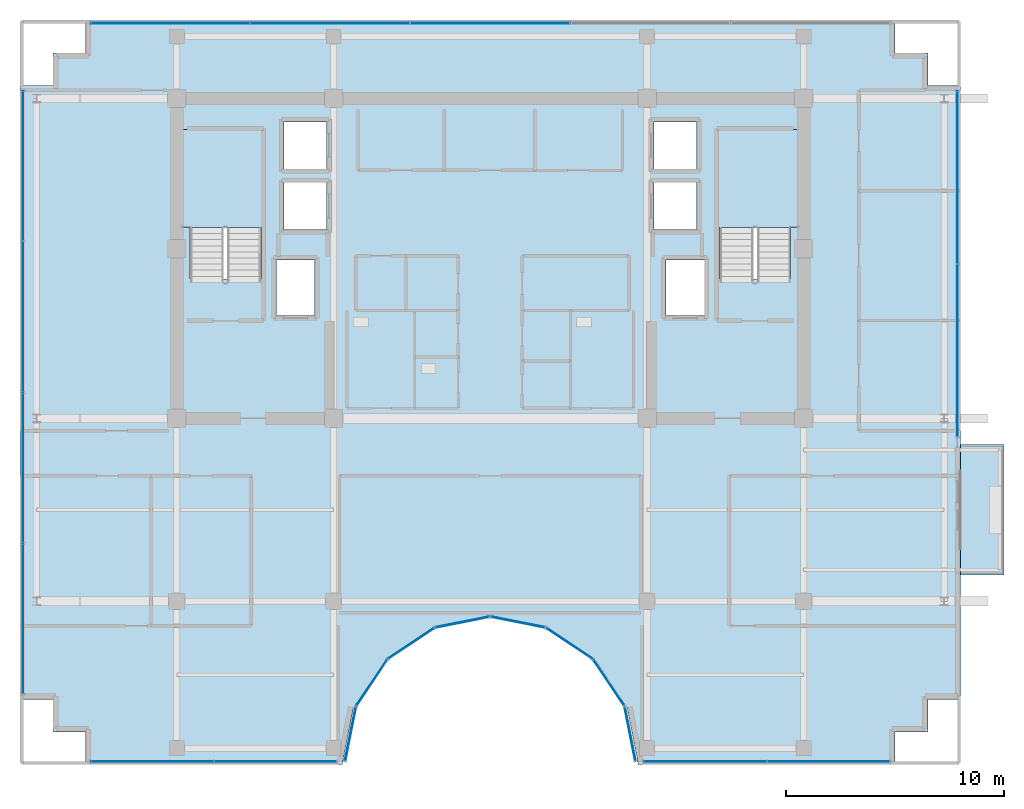
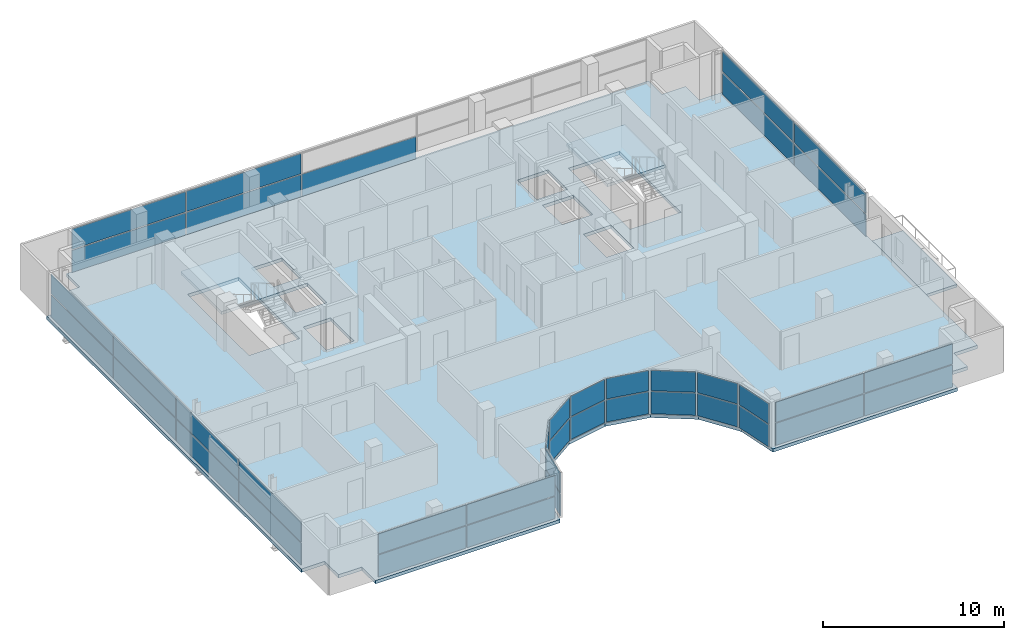
# One storey, part 22 of 29: 41 plates, 4 slabs, 15 elements without a shape of their own.
"""IFC4 building model written with IfcOpenShell, lengths in metres."""

import ifcopenshell
import ifcopenshell.guid

model = None  # the IFC model being written
_history = None  # IfcOwnerHistory: only IFC2X3 demands one
_inside = {}  # id of a spatial element -> (the spatial element, [elements in it])
_under = {}  # id of a project, library or spatial element -> (it, [spatial elements below it])
_declared = {}  # id of a project -> (the project, [libraries it declares])
_typed = {}  # id of a type object -> (the type object, [elements of that type])
_made_of = {}  # id of a material, layer set ... -> (it, [elements and type objects made of it])


def new_model(schema):
    """Start an empty IFC model of exactly this schema.

    Asked for "IFC4X3", IfcOpenShell would pick the latest addendum, in which some entities
    have other attributes; the version numbers below select the first issue.
    IFC2X3 requires an IfcOwnerHistory on every rooted entity: one is made here for all.
    """
    global model, _history
    if schema == "IFC4X3":
        model = ifcopenshell.file(schema_version=(4, 3, 0, 0))
    else:
        model = ifcopenshell.file(schema=schema)
    _inside.clear()
    _under.clear()
    _declared.clear()
    _typed.clear()
    _made_of.clear()
    _history = None
    if model.schema == "IFC2X3":
        org = make("IfcOrganization", Name="unknown")
        user = make(
            "IfcPersonAndOrganization",
            ThePerson=make("IfcPerson", FamilyName="unknown"),
            TheOrganization=org,
        )
        app = make(
            "IfcApplication",
            ApplicationDeveloper=org,
            Version="unknown",
            ApplicationFullName="unknown",
            ApplicationIdentifier="unknown",
        )
        _history = make(
            "IfcOwnerHistory",
            OwningUser=user,
            OwningApplication=app,
            ChangeAction="ADDED",
            CreationDate=0,
        )
    return model


def make(cls, **values):
    """One entity of the class cls with the attributes given. An attribute that is None is left unset."""
    return model.create_entity(
        cls, **{name: value for name, value in values.items() if value is not None}
    )


def rooted(cls, **values):
    """An entity with a GlobalId (a new one), such as an element, a storey or a relation."""
    return make(cls, GlobalId=ifcopenshell.guid.new(), OwnerHistory=_history, **values)


def si_unit(unit_type, name, prefix=None):
    """IfcSIUnit, for example si_unit("LENGTHUNIT", "METRE", prefix="MILLI")."""
    return make("IfcSIUnit", UnitType=unit_type, Prefix=prefix, Name=name)


def assignment(units):
    """IfcUnitAssignment: the units of a project."""
    return None if units is None else make("IfcUnitAssignment", Units=units)


def point(xyz):
    """IfcCartesianPoint."""
    return None if xyz is None else make("IfcCartesianPoint", Coordinates=xyz)


def direction(xyz):
    """IfcDirection."""
    return None if xyz is None else make("IfcDirection", DirectionRatios=xyz)


def frame(location, z_axis=None, x_axis=None):
    """IfcAxis2Placement3D, a coordinate frame: its origin and axes. An axis left out is left unset."""
    return make(
        "IfcAxis2Placement3D",
        Location=point(location),
        Axis=direction(z_axis),
        RefDirection=direction(x_axis),
    )


def frame_2d(location, x_axis=None):
    """IfcAxis2Placement2D, a coordinate frame in the plane: its origin and x axis."""
    return make(
        "IfcAxis2Placement2D", Location=point(location), RefDirection=direction(x_axis)
    )


def origin():
    """The frame at (0, 0, 0) with its axes left unset."""
    return frame((0.0, 0.0, 0.0))


def origin_2d():
    """The frame at (0, 0) in the plane with its x axis left unset."""
    return frame_2d((0.0, 0.0))


def place(relative_to, where):
    """IfcLocalPlacement: puts the frame where relative to a parent placement (None: the world)."""
    return make(
        "IfcLocalPlacement", PlacementRelTo=relative_to, RelativePlacement=where
    )


def context(
    kind, dimensions, precision=None, world=None, true_north=None, identifier=None
):
    """IfcGeometricRepresentationContext, for example the 3D "Model" context."""
    return make(
        "IfcGeometricRepresentationContext",
        ContextIdentifier=identifier,
        ContextType=kind,
        CoordinateSpaceDimension=dimensions,
        Precision=precision,
        WorldCoordinateSystem=world,
        TrueNorth=true_north,
    )


def subcontext(parent, identifier, kind, view, scale=None):
    """IfcGeometricRepresentationSubContext, for example "Body" below "Model"."""
    return make(
        "IfcGeometricRepresentationSubContext",
        ContextIdentifier=identifier,
        ContextType=kind,
        ParentContext=parent,
        TargetScale=scale,
        TargetView=view,
    )


def project(units=None, contexts=None):
    """IfcProject with its units and contexts."""
    return rooted(
        "IfcProject",
        Name="project",
        RepresentationContexts=contexts,
        UnitsInContext=assignment(units),
    )


def spatial(cls, under=None, at=None, **own):
    """A site, building, storey or space (cls), placed at a placement, below another one or the project."""
    s = rooted(cls, ObjectPlacement=at, **own)
    if under is not None:
        _under.setdefault(under.id(), (under, []))[1].append(s)
    return s


def polyline(points):
    """IfcPolyline through the points."""
    return make("IfcPolyline", Points=[point(p) for p in points])


def profile(cls, at=None, kind="AREA", **sizes):
    """A parametric profile (cls). Its sizes go by their IFC names, for example OverallWidth=200.0."""
    return make(cls, ProfileType=kind, Position=at, **sizes)


def rectangle(**sizes):
    """IfcRectangleProfileDef."""
    return profile("IfcRectangleProfileDef", **sizes)


def outline(outer, holes=None, kind="AREA"):
    """IfcArbitraryClosedProfileDef: a profile drawn as a closed curve; with holes, ...WithVoids."""
    if holes is None:
        return make("IfcArbitraryClosedProfileDef", ProfileType=kind, OuterCurve=outer)
    return make(
        "IfcArbitraryProfileDefWithVoids",
        ProfileType=kind,
        OuterCurve=outer,
        InnerCurves=holes,
    )


def extrude(swept, where, along, depth):
    """IfcExtrudedAreaSolid: the profile swept, set in the frame where, extruded along a direction by depth."""
    return make(
        "IfcExtrudedAreaSolid",
        SweptArea=swept,
        Position=where,
        ExtrudedDirection=direction(along),
        Depth=depth,
    )


def shape(context_of_items, identifier, shape_type, items):
    """IfcShapeRepresentation: the items that make up one representation, for example the "Body"."""
    return make(
        "IfcShapeRepresentation",
        ContextOfItems=context_of_items,
        RepresentationIdentifier=identifier,
        RepresentationType=shape_type,
        Items=items,
    )


def source(mapping_origin, context_of_items, identifier, shape_type, items):
    """IfcRepresentationMap: a shape defined once, which mapped items show again and again."""
    return make(
        "IfcRepresentationMap",
        MappingOrigin=mapping_origin,
        MappedRepresentation=shape(context_of_items, identifier, shape_type, items),
    )


def transform(
    local_origin,
    x_axis=None,
    y_axis=None,
    z_axis=None,
    scale=None,
    scale2=None,
    scale3=None,
    uniform=True,
):
    """IfcCartesianTransformationOperator3D, or its non-uniform kind. x_axis, y_axis, z_axis: its Axis1, 2, 3."""
    if uniform:
        return make(
            "IfcCartesianTransformationOperator3D",
            Axis1=direction(x_axis),
            Axis2=direction(y_axis),
            LocalOrigin=point(local_origin),
            Scale=scale,
            Axis3=direction(z_axis),
        )
    return make(
        "IfcCartesianTransformationOperator3DnonUniform",
        Axis1=direction(x_axis),
        Axis2=direction(y_axis),
        LocalOrigin=point(local_origin),
        Scale=scale,
        Axis3=direction(z_axis),
        Scale2=scale2,
        Scale3=scale3,
    )


def mapped(mapping_source, mapping_target):
    """IfcMappedItem: shows the shape of a source again, moved by a transform."""
    return make(
        "IfcMappedItem", MappingSource=mapping_source, MappingTarget=mapping_target
    )


def material(Name=None, Category=None):
    """IfcMaterial."""
    return make("IfcMaterial", Name=Name, Category=Category)


def layer(
    of_material, thickness, ventilated=None, Name=None, Category=None, Priority=None
):
    """IfcMaterialLayer: one layer of a wall or slab, of a material (None: an air gap)."""
    return make(
        "IfcMaterialLayer",
        Material=of_material,
        LayerThickness=thickness,
        IsVentilated=ventilated,
        Name=Name,
        Category=Category,
        Priority=Priority,
    )


def layer_set(layers, Name=None):
    """IfcMaterialLayerSet."""
    return make("IfcMaterialLayerSet", MaterialLayers=layers, LayerSetName=Name)


def made_of(thing, what):
    """Note that an element or type object is made of a material, layer set ...; save() writes the relation."""
    if what is not None:
        _made_of.setdefault(what.id(), (what, []))[1].append(thing)
    return thing


def type_object(cls, material=None, **own):
    """A type object (cls), such as IfcWallType, which elements share."""
    return made_of(rooted(cls, **own), material)


def element(
    cls,
    number,
    at=None,
    inside=None,
    cuts=None,
    type_object=None,
    material=None,
    context=None,
    identifier="Body",
    shape_type=None,
    held_by="IfcProductDefinitionShape",
    body=None,
    shapes=None,
    **own,
):
    """One element of the class cls, such as IfcWall. Its Tag is "e" and its number.

    at: its placement. inside: the storey or other place that contains it. cuts: it is an
    opening in that element (IfcRelVoidsElement). A single representation is given by context,
    identifier, shape_type and body (its items); several are given by shapes. held_by: the class
    of the entity that holds the representations. save() writes the other relations.
    """
    e = rooted(cls, Tag="e%d" % number, ObjectPlacement=at, **own)
    if body is not None:
        shapes = [shape(context, identifier, shape_type, body)]
    if shapes is not None:
        e.Representation = make(held_by, Representations=shapes)
    if inside is not None:
        _inside.setdefault(inside.id(), (inside, []))[1].append(e)
    if cuts is not None:
        rooted(
            "IfcRelVoidsElement", RelatingBuildingElement=cuts, RelatedOpeningElement=e
        )
    if type_object is not None:
        _typed.setdefault(type_object.id(), (type_object, []))[1].append(e)
    return made_of(e, material)


def aggregate(whole, parts):
    """IfcRelAggregates: a whole, such as a stair, and the parts it consists of."""
    return rooted("IfcRelAggregates", RelatingObject=whole, RelatedObjects=parts)


def save(model, path):
    """Write the relations noted so far, then the file.

    IfcRelAggregates (storeys below a building ...), IfcRelContainedInSpatialStructure (elements
    in a storey), IfcRelDefinesByType, IfcRelAssociatesMaterial and IfcRelDeclares: one each for
    every whole, place, type object, material and project.
    """
    for whole, parts in _under.values():
        aggregate(whole, parts)
    for where, things in _inside.values():
        rooted(
            "IfcRelContainedInSpatialStructure",
            RelatedElements=things,
            RelatingStructure=where,
        )
    for kind, things in _typed.values():
        rooted("IfcRelDefinesByType", RelatedObjects=things, RelatingType=kind)
    for what, things in _made_of.values():
        rooted("IfcRelAssociatesMaterial", RelatedObjects=things, RelatingMaterial=what)
    for by, libraries in _declared.values():
        rooted("IfcRelDeclares", RelatingContext=by, RelatedDefinitions=libraries)
    model.write(path)


model = new_model("IFC4")

# Units and contexts
model_context = context("Model", 3, precision=1e-05, world=origin(), true_north=direction((0.0, 1.0)))
body_context = subcontext(model_context, "Body", "Model", "MODEL_VIEW")
ifc_project = project(units=[si_unit("LENGTHUNIT", "METRE"), si_unit("AREAUNIT", "SQUARE_METRE"), si_unit("VOLUMEUNIT", "CUBIC_METRE"), si_unit("PLANEANGLEUNIT", "RADIAN"), si_unit("MASSUNIT", "GRAM", prefix="KILO")], contexts=[model_context])

# Site, building, storey
site_placement = place(None, origin())
site = spatial("IfcSite", under=ifc_project, at=site_placement, CompositionType="ELEMENT")
building_placement = place(site_placement, origin())
building = spatial("IfcBuilding", under=site, at=building_placement, Name="Zarnakvel Exchange Tower", CompositionType="ELEMENT")
storey_placement = place(building_placement, frame((0.0, 0.0, 258.39990234375)))
storey = spatial("IfcBuildingStorey", under=building, at=storey_placement, Name="L73", CompositionType="ELEMENT", Elevation=258.39990234375)

# Stair, slab
ifc_material_1 = material(Name="Concrete C40/50", Category="concrete")
stair_type = type_object("IfcStairType", Name="STR-01", PredefinedType="HALF_TURN_STAIR", material=ifc_material_1)
stair_1_placement = place(storey_placement, origin())
stair_1 = element("IfcStair", 1, at=stair_1_placement, inside=storey, type_object=stair_type, Name="L73 Protected Core Exit Stair ST-01", PredefinedType="HALF_TURN_STAIR")
ifc_layer_1 = layer(ifc_material_1, 0.199951171875)
ifc_layer_set_1 = layer_set([ifc_layer_1], Name="Concrete C40/50")
slab_type_1 = type_object("IfcSlabType", Name="LDG-01", PredefinedType="LANDING", material=ifc_layer_set_1)
slab_1_placement = place(storey_placement, frame((0.0, 0.0, 1.4501953125)))
slab_1 = element("IfcSlab", 2, at=slab_1_placement, type_object=slab_type_1, Name="ST-01 landing 1", PredefinedType="LANDING", context=body_context, shape_type="SweptSolid", body=[
    extrude(outline(polyline([(-14.18994140625, 7.570068359375), (-10.4599609375, 7.570068359375), (-10.4599609375, 12.080078125), (-14.18994140625, 12.080078125), (-14.18994140625, 7.570068359375)])), origin(), (0.0, 0.0, 1.0), 0.199951171875),
])
aggregate(stair_1, [slab_1])

stair_2_placement = place(storey_placement, origin())
stair_2 = element("IfcStair", 3, at=stair_2_placement, inside=storey, type_object=stair_type, Name="L73 Protected Core Exit Stair ST-02", PredefinedType="HALF_TURN_STAIR")
slab_2_placement = place(storey_placement, frame((0.0, 0.0, 1.4501953125)))
slab_2 = element("IfcSlab", 4, at=slab_2_placement, type_object=slab_type_1, Name="ST-02 landing 1", PredefinedType="LANDING", context=body_context, shape_type="SweptSolid", body=[
    extrude(outline(polyline([(10.4599609375, 7.570068359375), (14.18994140625, 7.570068359375), (14.18994140625, 12.080078125), (10.4599609375, 12.080078125), (10.4599609375, 7.570068359375)])), origin(), (0.0, 0.0, 1.0), 0.199951171875),
])
aggregate(stair_2, [slab_2])

# Slabs
ifc_layer_2 = layer(ifc_material_1, 0.22509765625)
ifc_layer_set_2 = layer_set([ifc_layer_2], Name="Concrete C40/50")
slab_type_2 = type_object("IfcSlabType", Name="SL-04", PredefinedType="FLOOR", material=ifc_layer_set_2)
slab_3_placement = place(storey_placement, frame((0.0, 0.0, -0.224853515625)))
element("IfcSlab", 5, at=slab_3_placement, inside=storey, type_object=slab_type_2, Name="L73 Primary Structural Floor Slab", PredefinedType="FLOOR", context=body_context, shape_type="SweptSolid", body=[
    extrude(outline(polyline([(-21.60009765625, -14.10009765625), (-20.10009765625, -14.10009765625), (-20.10009765625, -15.60009765625), (-18.60009765625, -15.60009765625), (-18.60009765625, -17.10009765625), (-6.800048828125, -17.10009765625), (-6.282470703125, -14.497802734375), (-4.808349609375, -12.291748046875), (-2.602294921875, -10.817626953125), (0.0, -10.300048828125), (2.602294921875, -10.817626953125), (4.808349609375, -12.291748046875), (6.282470703125, -14.497802734375), (6.800048828125, -17.10009765625), (18.60009765625, -17.10009765625), (18.60009765625, -15.60009765625), (20.10009765625, -15.60009765625), (20.10009765625, -14.10009765625), (21.60009765625, -14.10009765625), (21.60009765625, 14.10009765625), (20.10009765625, 14.10009765625), (20.10009765625, 15.60009765625), (18.60009765625, 15.60009765625), (18.60009765625, 17.10009765625), (-18.60009765625, 17.10009765625), (-18.60009765625, 15.60009765625), (-20.10009765625, 15.60009765625), (-20.10009765625, 14.10009765625), (-21.60009765625, 14.10009765625), (-21.60009765625, -14.10009765625)]), holes=[polyline([(-13.800048828125, 5.2099609375), (-10.5400390625, 5.2099609375), (-10.5400390625, 12.0), (-13.800048828125, 12.0), (-13.800048828125, 5.2099609375)]), polyline([(10.5400390625, 5.2099609375), (13.800048828125, 5.2099609375), (13.800048828125, 12.0), (10.5400390625, 12.0), (10.5400390625, 5.2099609375)]), polyline([(-9.830078125, 3.52001953125), (-8.070068359375, 3.52001953125), (-8.070068359375, 6.080078125), (-9.830078125, 6.080078125), (-9.830078125, 3.52001953125)]), polyline([(8.070068359375, 3.52001953125), (9.830078125, 3.52001953125), (9.830078125, 6.080078125), (8.070068359375, 6.080078125), (8.070068359375, 3.52001953125)]), polyline([(-9.47998046875, 7.469970703125), (-7.52001953125, 7.469970703125), (-7.52001953125, 9.6298828125), (-9.47998046875, 9.6298828125), (-9.47998046875, 7.469970703125)]), polyline([(-9.47998046875, 10.27001953125), (-7.52001953125, 10.27001953125), (-7.52001953125, 12.429931640625), (-9.47998046875, 12.429931640625), (-9.47998046875, 10.27001953125)]), polyline([(7.52001953125, 7.469970703125), (9.47998046875, 7.469970703125), (9.47998046875, 9.6298828125), (7.52001953125, 9.6298828125), (7.52001953125, 7.469970703125)]), polyline([(7.52001953125, 10.27001953125), (9.47998046875, 10.27001953125), (9.47998046875, 12.429931640625), (7.52001953125, 12.429931640625), (7.52001953125, 10.27001953125)])]), origin(), (0.0, 0.0, 1.0), 0.224853515625),
])
ifc_layer_3 = layer(ifc_material_1, 0.18994140625)
ifc_layer_set_3 = layer_set([ifc_layer_3], Name="Concrete C40/50")
slab_type_3 = type_object("IfcSlabType", Name="SL-08", PredefinedType="USERDEFINED", material=ifc_layer_set_3)
slab_4_placement = place(storey_placement, frame((0.0, 0.0, -0.224853515625)))
element("IfcSlab", 6, at=slab_4_placement, inside=storey, type_object=slab_type_3, Name="L73 Planted Loggia Balcony Slab BAL-L73-E", ObjectType="BALCONY", PredefinedType="USERDEFINED", context=body_context, shape_type="SweptSolid", body=[
    extrude(outline(polyline([(21.60009765625, -8.39990234375), (23.60009765625, -8.39990234375), (23.60009765625, -2.39990234375), (21.60009765625, -2.39990234375), (21.60009765625, -8.39990234375)])), origin(), (0.0, 0.0, 1.0), 0.18994140625),
])

# Curtain wall, plates
ifc_material_2 = material(Name="Architectural Bronze Anodised Aluminium", Category="aluminium")
ifc_layer_4 = layer(ifc_material_2, 0.199951171875)
ifc_layer_set_4 = layer_set([ifc_layer_4], Name="Architectural Bronze Anodised Aluminium")
curtain_wall_type_1 = type_object("IfcCurtainWallType", Name="CW-04", PredefinedType="NOTDEFINED", material=ifc_layer_set_4)
curtain_wall_1_placement = place(storey_placement, origin())
curtain_wall_1 = element("IfcCurtainWall", 7, at=curtain_wall_1_placement, inside=storey, type_object=curtain_wall_type_1, Name="L73 Curtain Wall CW-L73-W1 (CW-04)", PredefinedType="NOTDEFINED")
ifc_material_3 = material(Name="Double Low-E Laminated Vision Glass", Category="glass")
ifc_layer_5 = layer(ifc_material_3, 0.028076171875)
ifc_layer_set_5 = layer_set([ifc_layer_5], Name="Double Low-E Laminated Vision Glass")
plate_type_1 = type_object("IfcPlateType", Name="CWP-04", PredefinedType="CURTAIN_PANEL", material=ifc_layer_set_5)
shared_shape_1 = source(origin(), body_context, "Body", "SweptSolid", [
    extrude(rectangle(XDim=6.83740234375, YDim=0.028076171875, at=origin_2d()), origin(), (0.0, 0.0, 1.0), 1.47607421875),
])
plate_1_placement = place(storey_placement, frame((-21.4599609375, -10.40625, 0.0751953125), z_axis=(0.0, 0.0, 1.0), x_axis=(0.0, 1.0, 0.0)))
plate_1 = element("IfcPlate", 8, at=plate_1_placement, type_object=plate_type_1, Name="CW-04 panel 1.1", PredefinedType="CURTAIN_PANEL", context=body_context, shape_type="MappedRepresentation", body=[
    mapped(shared_shape_1, transform((0.0, 0.0, 0.0), x_axis=(1.0, 0.0, 0.0), y_axis=(0.0, 1.0, 0.0), z_axis=(0.0, 0.0, 1.0), scale=1.0)),
])
plate_2_placement = place(storey_placement, frame((-21.4599609375, 10.40625, 0.0751953125), z_axis=(0.0, 0.0, 1.0), x_axis=(0.0, 1.0, 0.0)))
plate_2 = element("IfcPlate", 9, at=plate_2_placement, type_object=plate_type_1, Name="CW-04 panel 4.1", PredefinedType="CURTAIN_PANEL", context=body_context, shape_type="MappedRepresentation", body=[
    mapped(shared_shape_1, transform((0.0, 0.0, 0.0), x_axis=(1.0, 0.0, 0.0), y_axis=(0.0, 1.0, 0.0), z_axis=(0.0, 0.0, 1.0), scale=1.0)),
])
shared_shape_2 = source(origin(), body_context, "Body", "SweptSolid", [
    extrude(rectangle(XDim=6.83740234375, YDim=0.028076171875, at=origin_2d()), origin(), (0.0, 0.0, 1.0), 1.35400390625),
])
plate_3_placement = place(storey_placement, frame((-21.4599609375, -10.40625, 1.626220703125), z_axis=(0.0, 0.0, 1.0), x_axis=(0.0, 1.0, 0.0)))
plate_3 = element("IfcPlate", 10, at=plate_3_placement, type_object=plate_type_1, Name="CW-04 panel 1.2", PredefinedType="CURTAIN_PANEL", context=body_context, shape_type="MappedRepresentation", body=[
    mapped(shared_shape_2, transform((0.0, 0.0, 0.0), x_axis=(1.0, 0.0, 0.0), y_axis=(0.0, 1.0, 0.0), z_axis=(0.0, 0.0, 1.0), scale=1.0)),
])
plate_4_placement = place(storey_placement, frame((-21.4599609375, 10.40625, 1.626220703125), z_axis=(0.0, 0.0, 1.0), x_axis=(0.0, 1.0, 0.0)))
plate_4 = element("IfcPlate", 11, at=plate_4_placement, type_object=plate_type_1, Name="CW-04 panel 4.2", PredefinedType="CURTAIN_PANEL", context=body_context, shape_type="MappedRepresentation", body=[
    mapped(shared_shape_2, transform((0.0, 0.0, 0.0), x_axis=(1.0, 0.0, 0.0), y_axis=(0.0, 1.0, 0.0), z_axis=(0.0, 0.0, 1.0), scale=1.0)),
])
shared_shape_3 = source(origin(), body_context, "Body", "SweptSolid", [
    extrude(rectangle(XDim=6.875, YDim=0.028076171875, at=origin_2d()), origin(), (0.0, 0.0, 1.0), 1.47607421875),
])
plate_5_placement = place(storey_placement, frame((-21.4599609375, -3.47509765625, 0.0751953125), z_axis=(0.0, 0.0, 1.0), x_axis=(0.0, 1.0, 0.0)))
plate_5 = element("IfcPlate", 12, at=plate_5_placement, type_object=plate_type_1, Name="CW-04 panel 2.1", PredefinedType="CURTAIN_PANEL", context=body_context, shape_type="MappedRepresentation", body=[
    mapped(shared_shape_3, transform((0.0, 0.0, 0.0), x_axis=(1.0, 0.0, 0.0), y_axis=(0.0, 1.0, 0.0), z_axis=(0.0, 0.0, 1.0), scale=1.0)),
])
plate_6_placement = place(storey_placement, frame((-21.4599609375, 3.47509765625, 0.0751953125), z_axis=(0.0, 0.0, 1.0), x_axis=(0.0, 1.0, 0.0)))
plate_6 = element("IfcPlate", 13, at=plate_6_placement, type_object=plate_type_1, Name="CW-04 panel 3.1", PredefinedType="CURTAIN_PANEL", context=body_context, shape_type="MappedRepresentation", body=[
    mapped(shared_shape_3, transform((0.0, 0.0, 0.0), x_axis=(1.0, 0.0, 0.0), y_axis=(0.0, 1.0, 0.0), z_axis=(0.0, 0.0, 1.0), scale=1.0)),
])
shared_shape_4 = source(origin(), body_context, "Body", "SweptSolid", [
    extrude(rectangle(XDim=6.875, YDim=0.028076171875, at=origin_2d()), origin(), (0.0, 0.0, 1.0), 1.35400390625),
])
plate_7_placement = place(storey_placement, frame((-21.4599609375, -3.47509765625, 1.626220703125), z_axis=(0.0, 0.0, 1.0), x_axis=(0.0, 1.0, 0.0)))
plate_7 = element("IfcPlate", 14, at=plate_7_placement, type_object=plate_type_1, Name="CW-04 panel 2.2", PredefinedType="CURTAIN_PANEL", context=body_context, shape_type="MappedRepresentation", body=[
    mapped(shared_shape_4, transform((0.0, 0.0, 0.0), x_axis=(1.0, 0.0, 0.0), y_axis=(0.0, 1.0, 0.0), z_axis=(0.0, 0.0, 1.0), scale=1.0)),
])
plate_8_placement = place(storey_placement, frame((-21.4599609375, 3.47509765625, 1.626220703125), z_axis=(0.0, 0.0, 1.0), x_axis=(0.0, 1.0, 0.0)))
plate_8 = element("IfcPlate", 15, at=plate_8_placement, type_object=plate_type_1, Name="CW-04 panel 3.2", PredefinedType="CURTAIN_PANEL", context=body_context, shape_type="MappedRepresentation", body=[
    mapped(shared_shape_4, transform((0.0, 0.0, 0.0), x_axis=(1.0, 0.0, 0.0), y_axis=(0.0, 1.0, 0.0), z_axis=(0.0, 0.0, 1.0), scale=1.0)),
])
aggregate(curtain_wall_1, [plate_1, plate_3, plate_5, plate_7, plate_6, plate_8, plate_2, plate_4])

curtain_wall_2_placement = place(storey_placement, origin())
curtain_wall_2 = element("IfcCurtainWall", 16, at=curtain_wall_2_placement, inside=storey, type_object=curtain_wall_type_1, Name="L73 Curtain Wall CW-L73-EN (CW-04)", PredefinedType="NOTDEFINED")
shared_shape_5 = source(origin(), body_context, "Body", "SweptSolid", [
    extrude(rectangle(XDim=7.887451171875, YDim=0.028076171875, at=origin_2d()), origin(), (0.0, 0.0, 1.0), 1.47607421875),
])
plate_9_placement = place(storey_placement, frame((21.4599609375, 1.918701171875, 0.0751953125), z_axis=(0.0, 0.0, 1.0), x_axis=(0.0, 1.0, 0.0)))
plate_9 = element("IfcPlate", 17, at=plate_9_placement, type_object=plate_type_1, Name="CW-04 panel 1.1", PredefinedType="CURTAIN_PANEL", context=body_context, shape_type="MappedRepresentation", body=[
    mapped(shared_shape_5, transform((0.0, 0.0, 0.0), x_axis=(1.0, 0.0, 0.0), y_axis=(0.0, 1.0, 0.0), z_axis=(0.0, 0.0, 1.0), scale=1.0)),
])
plate_10_placement = place(storey_placement, frame((21.4599609375, 9.88134765625, 0.0751953125), z_axis=(0.0, 0.0, 1.0), x_axis=(0.0, 1.0, 0.0)))
plate_10 = element("IfcPlate", 18, at=plate_10_placement, type_object=plate_type_1, Name="CW-04 panel 2.1", PredefinedType="CURTAIN_PANEL", context=body_context, shape_type="MappedRepresentation", body=[
    mapped(shared_shape_5, transform((0.0, 0.0, 0.0), x_axis=(1.0, 0.0, 0.0), y_axis=(0.0, 1.0, 0.0), z_axis=(0.0, 0.0, 1.0), scale=1.0)),
])
shared_shape_6 = source(origin(), body_context, "Body", "SweptSolid", [
    extrude(rectangle(XDim=7.887451171875, YDim=0.028076171875, at=origin_2d()), origin(), (0.0, 0.0, 1.0), 1.35400390625),
])
plate_11_placement = place(storey_placement, frame((21.4599609375, 1.918701171875, 1.626220703125), z_axis=(0.0, 0.0, 1.0), x_axis=(0.0, 1.0, 0.0)))
plate_11 = element("IfcPlate", 19, at=plate_11_placement, type_object=plate_type_1, Name="CW-04 panel 1.2", PredefinedType="CURTAIN_PANEL", context=body_context, shape_type="MappedRepresentation", body=[
    mapped(shared_shape_6, transform((0.0, 0.0, 0.0), x_axis=(1.0, 0.0, 0.0), y_axis=(0.0, 1.0, 0.0), z_axis=(0.0, 0.0, 1.0), scale=1.0)),
])
plate_12_placement = place(storey_placement, frame((21.4599609375, 9.88134765625, 1.626220703125), z_axis=(0.0, 0.0, 1.0), x_axis=(0.0, 1.0, 0.0)))
plate_12 = element("IfcPlate", 20, at=plate_12_placement, type_object=plate_type_1, Name="CW-04 panel 2.2", PredefinedType="CURTAIN_PANEL", context=body_context, shape_type="MappedRepresentation", body=[
    mapped(shared_shape_6, transform((0.0, 0.0, 0.0), x_axis=(1.0, 0.0, 0.0), y_axis=(0.0, 1.0, 0.0), z_axis=(0.0, 0.0, 1.0), scale=1.0)),
])
aggregate(curtain_wall_2, [plate_9, plate_11, plate_10, plate_12])

# Curtain wall, plate
ifc_layer_6 = layer(ifc_material_2, 0.159912109375)
ifc_layer_set_6 = layer_set([ifc_layer_6], Name="Architectural Bronze Anodised Aluminium")
curtain_wall_type_2 = type_object("IfcCurtainWallType", Name="CW-06", PredefinedType="NOTDEFINED", material=ifc_layer_set_6)
curtain_wall_3_placement = place(storey_placement, origin())
curtain_wall_3 = element("IfcCurtainWall", 21, at=curtain_wall_3_placement, inside=storey, type_object=curtain_wall_type_2, Name="L73 Curtain Wall CW-L73-NC1 (CW-06)", PredefinedType="NOTDEFINED")
ifc_layer_7 = layer(ifc_material_3, 0.033935546875)
ifc_layer_set_7 = layer_set([ifc_layer_7], Name="Double Low-E Laminated Vision Glass")
plate_type_2 = type_object("IfcPlateType", Name="CWP-06", PredefinedType="CURTAIN_PANEL", material=ifc_layer_set_7)
shared_shape_7 = source(origin(), body_context, "Body", "SweptSolid", [
    extrude(rectangle(XDim=2.476318359375, YDim=0.033935546875, at=origin_2d()), origin(), (0.0, 0.0, 1.0), 1.4912109375),
])
plate_13_placement = place(storey_placement, frame((-6.42578125, -15.701904296875, 0.06494140625), z_axis=(0.0, 0.0, 1.0), x_axis=(0.195090448398, 0.980785255264, 0.0)))
plate_13 = element("IfcPlate", 22, at=plate_13_placement, type_object=plate_type_2, Name="CW-06 panel 1.1", PredefinedType="CURTAIN_PANEL", context=body_context, shape_type="MappedRepresentation", body=[
    mapped(shared_shape_7, transform((0.0, 0.0, 0.0), x_axis=(1.0, 0.0, 0.0), y_axis=(0.0, 1.0, 0.0), z_axis=(0.0, 0.0, 1.0), scale=1.0)),
])

curtain_wall_4_placement = place(storey_placement, origin())
curtain_wall_4 = element("IfcCurtainWall", 23, at=curtain_wall_4_placement, inside=storey, type_object=curtain_wall_type_2, Name="L73 Curtain Wall CW-L73-NC2 (CW-06)", PredefinedType="NOTDEFINED")
plate_14_placement = place(storey_placement, frame((-5.447509765625, -13.340087890625, 0.06494140625), z_axis=(0.0, 0.0, 1.0), x_axis=(0.555570233339, 0.831469612089, 0.0)))
plate_14 = element("IfcPlate", 24, at=plate_14_placement, type_object=plate_type_2, Name="CW-06 panel 1.1", PredefinedType="CURTAIN_PANEL", context=body_context, shape_type="MappedRepresentation", body=[
    mapped(shared_shape_7, transform((0.0, 0.0, 0.0), x_axis=(1.0, 0.0, 0.0), y_axis=(0.0, 1.0, 0.0), z_axis=(0.0, 0.0, 1.0), scale=1.0)),
])

curtain_wall_5_placement = place(storey_placement, origin())
curtain_wall_5 = element("IfcCurtainWall", 25, at=curtain_wall_5_placement, inside=storey, type_object=curtain_wall_type_2, Name="L73 Curtain Wall CW-L73-NC3 (CW-06)", PredefinedType="NOTDEFINED")
plate_15_placement = place(storey_placement, frame((-3.639892578125, -11.532470703125, 0.06494140625), z_axis=(0.0, 0.0, 1.0), x_axis=(0.831469612089, 0.555570233339, 0.0)))
plate_15 = element("IfcPlate", 26, at=plate_15_placement, type_object=plate_type_2, Name="CW-06 panel 1.1", PredefinedType="CURTAIN_PANEL", context=body_context, shape_type="MappedRepresentation", body=[
    mapped(shared_shape_7, transform((0.0, 0.0, 0.0), x_axis=(1.0, 0.0, 0.0), y_axis=(0.0, 1.0, 0.0), z_axis=(0.0, 0.0, 1.0), scale=1.0)),
])

curtain_wall_6_placement = place(storey_placement, origin())
curtain_wall_6 = element("IfcCurtainWall", 27, at=curtain_wall_6_placement, inside=storey, type_object=curtain_wall_type_2, Name="L73 Curtain Wall CW-L73-NC4 (CW-06)", PredefinedType="NOTDEFINED")
plate_16_placement = place(storey_placement, frame((-1.278076171875, -10.55419921875, 0.06494140625), z_axis=(0.0, 0.0, 1.0), x_axis=(0.980785255264, 0.195090448398, 0.0)))
plate_16 = element("IfcPlate", 28, at=plate_16_placement, type_object=plate_type_2, Name="CW-06 panel 1.1", PredefinedType="CURTAIN_PANEL", context=body_context, shape_type="MappedRepresentation", body=[
    mapped(shared_shape_7, transform((0.0, 0.0, 0.0), x_axis=(1.0, 0.0, 0.0), y_axis=(0.0, 1.0, 0.0), z_axis=(0.0, 0.0, 1.0), scale=1.0)),
])

curtain_wall_7_placement = place(storey_placement, origin())
curtain_wall_7 = element("IfcCurtainWall", 29, at=curtain_wall_7_placement, inside=storey, type_object=curtain_wall_type_2, Name="L73 Curtain Wall CW-L73-NC5 (CW-06)", PredefinedType="NOTDEFINED")
plate_17_placement = place(storey_placement, frame((1.278076171875, -10.55419921875, 0.06494140625), z_axis=(0.0, 0.0, 1.0), x_axis=(0.980785255264, -0.195090448398, 0.0)))
plate_17 = element("IfcPlate", 30, at=plate_17_placement, type_object=plate_type_2, Name="CW-06 panel 1.1", PredefinedType="CURTAIN_PANEL", context=body_context, shape_type="MappedRepresentation", body=[
    mapped(shared_shape_7, transform((0.0, 0.0, 0.0), x_axis=(1.0, 0.0, 0.0), y_axis=(0.0, 1.0, 0.0), z_axis=(0.0, 0.0, 1.0), scale=1.0)),
])

curtain_wall_8_placement = place(storey_placement, origin())
curtain_wall_8 = element("IfcCurtainWall", 31, at=curtain_wall_8_placement, inside=storey, type_object=curtain_wall_type_2, Name="L73 Curtain Wall CW-L73-NC6 (CW-06)", PredefinedType="NOTDEFINED")
plate_18_placement = place(storey_placement, frame((3.639892578125, -11.532470703125, 0.06494140625), z_axis=(0.0, 0.0, 1.0), x_axis=(0.831469612089, -0.555570233339, 0.0)))
plate_18 = element("IfcPlate", 32, at=plate_18_placement, type_object=plate_type_2, Name="CW-06 panel 1.1", PredefinedType="CURTAIN_PANEL", context=body_context, shape_type="MappedRepresentation", body=[
    mapped(shared_shape_7, transform((0.0, 0.0, 0.0), x_axis=(1.0, 0.0, 0.0), y_axis=(0.0, 1.0, 0.0), z_axis=(0.0, 0.0, 1.0), scale=1.0)),
])

curtain_wall_9_placement = place(storey_placement, origin())
curtain_wall_9 = element("IfcCurtainWall", 33, at=curtain_wall_9_placement, inside=storey, type_object=curtain_wall_type_2, Name="L73 Curtain Wall CW-L73-NC7 (CW-06)", PredefinedType="NOTDEFINED")
plate_19_placement = place(storey_placement, frame((5.447509765625, -13.340087890625, 0.06494140625), z_axis=(0.0, 0.0, 1.0), x_axis=(0.555570233339, -0.831469612089, 0.0)))
plate_19 = element("IfcPlate", 34, at=plate_19_placement, type_object=plate_type_2, Name="CW-06 panel 1.1", PredefinedType="CURTAIN_PANEL", context=body_context, shape_type="MappedRepresentation", body=[
    mapped(shared_shape_7, transform((0.0, 0.0, 0.0), x_axis=(1.0, 0.0, 0.0), y_axis=(0.0, 1.0, 0.0), z_axis=(0.0, 0.0, 1.0), scale=1.0)),
])

curtain_wall_10_placement = place(storey_placement, origin())
curtain_wall_10 = element("IfcCurtainWall", 35, at=curtain_wall_10_placement, inside=storey, type_object=curtain_wall_type_2, Name="L73 Curtain Wall CW-L73-NC8 (CW-06)", PredefinedType="NOTDEFINED")
plate_20_placement = place(storey_placement, frame((6.42578125, -15.701904296875, 0.06494140625), z_axis=(0.0, 0.0, 1.0), x_axis=(0.195090448398, -0.980785255264, 0.0)))
plate_20 = element("IfcPlate", 36, at=plate_20_placement, type_object=plate_type_2, Name="CW-06 panel 1.1", PredefinedType="CURTAIN_PANEL", context=body_context, shape_type="MappedRepresentation", body=[
    mapped(shared_shape_7, transform((0.0, 0.0, 0.0), x_axis=(1.0, 0.0, 0.0), y_axis=(0.0, 1.0, 0.0), z_axis=(0.0, 0.0, 1.0), scale=1.0)),
])

# Plate
shared_shape_8 = source(origin(), body_context, "Body", "SweptSolid", [
    extrude(rectangle(XDim=2.476318359375, YDim=0.033935546875, at=origin_2d()), origin(), (0.0, 0.0, 1.0), 1.368896484375),
])
plate_21_placement = place(storey_placement, frame((-6.42578125, -15.701904296875, 1.62109375), z_axis=(0.0, 0.0, 1.0), x_axis=(0.195090448398, 0.980785255264, 0.0)))
plate_21 = element("IfcPlate", 37, at=plate_21_placement, type_object=plate_type_2, Name="CW-06 panel 1.2", PredefinedType="CURTAIN_PANEL", context=body_context, shape_type="MappedRepresentation", body=[
    mapped(shared_shape_8, transform((0.0, 0.0, 0.0), x_axis=(1.0, 0.0, 0.0), y_axis=(0.0, 1.0, 0.0), z_axis=(0.0, 0.0, 1.0), scale=1.0)),
])

aggregate(curtain_wall_3, [plate_13, plate_21])

plate_22_placement = place(storey_placement, frame((-5.447509765625, -13.340087890625, 1.62109375), z_axis=(0.0, 0.0, 1.0), x_axis=(0.555570233339, 0.831469612089, 0.0)))
plate_22 = element("IfcPlate", 38, at=plate_22_placement, type_object=plate_type_2, Name="CW-06 panel 1.2", PredefinedType="CURTAIN_PANEL", context=body_context, shape_type="MappedRepresentation", body=[
    mapped(shared_shape_8, transform((0.0, 0.0, 0.0), x_axis=(1.0, 0.0, 0.0), y_axis=(0.0, 1.0, 0.0), z_axis=(0.0, 0.0, 1.0), scale=1.0)),
])

aggregate(curtain_wall_4, [plate_14, plate_22])

plate_23_placement = place(storey_placement, frame((-3.639892578125, -11.532470703125, 1.62109375), z_axis=(0.0, 0.0, 1.0), x_axis=(0.831469612089, 0.555570233339, 0.0)))
plate_23 = element("IfcPlate", 39, at=plate_23_placement, type_object=plate_type_2, Name="CW-06 panel 1.2", PredefinedType="CURTAIN_PANEL", context=body_context, shape_type="MappedRepresentation", body=[
    mapped(shared_shape_8, transform((0.0, 0.0, 0.0), x_axis=(1.0, 0.0, 0.0), y_axis=(0.0, 1.0, 0.0), z_axis=(0.0, 0.0, 1.0), scale=1.0)),
])

aggregate(curtain_wall_5, [plate_15, plate_23])

plate_24_placement = place(storey_placement, frame((-1.278076171875, -10.55419921875, 1.62109375), z_axis=(0.0, 0.0, 1.0), x_axis=(0.980785255264, 0.195090448398, 0.0)))
plate_24 = element("IfcPlate", 40, at=plate_24_placement, type_object=plate_type_2, Name="CW-06 panel 1.2", PredefinedType="CURTAIN_PANEL", context=body_context, shape_type="MappedRepresentation", body=[
    mapped(shared_shape_8, transform((0.0, 0.0, 0.0), x_axis=(1.0, 0.0, 0.0), y_axis=(0.0, 1.0, 0.0), z_axis=(0.0, 0.0, 1.0), scale=1.0)),
])

aggregate(curtain_wall_6, [plate_16, plate_24])

plate_25_placement = place(storey_placement, frame((1.278076171875, -10.55419921875, 1.62109375), z_axis=(0.0, 0.0, 1.0), x_axis=(0.980785255264, -0.195090448398, 0.0)))
plate_25 = element("IfcPlate", 41, at=plate_25_placement, type_object=plate_type_2, Name="CW-06 panel 1.2", PredefinedType="CURTAIN_PANEL", context=body_context, shape_type="MappedRepresentation", body=[
    mapped(shared_shape_8, transform((0.0, 0.0, 0.0), x_axis=(1.0, 0.0, 0.0), y_axis=(0.0, 1.0, 0.0), z_axis=(0.0, 0.0, 1.0), scale=1.0)),
])

aggregate(curtain_wall_7, [plate_17, plate_25])

plate_26_placement = place(storey_placement, frame((3.639892578125, -11.532470703125, 1.62109375), z_axis=(0.0, 0.0, 1.0), x_axis=(0.831469612089, -0.555570233339, 0.0)))
plate_26 = element("IfcPlate", 42, at=plate_26_placement, type_object=plate_type_2, Name="CW-06 panel 1.2", PredefinedType="CURTAIN_PANEL", context=body_context, shape_type="MappedRepresentation", body=[
    mapped(shared_shape_8, transform((0.0, 0.0, 0.0), x_axis=(1.0, 0.0, 0.0), y_axis=(0.0, 1.0, 0.0), z_axis=(0.0, 0.0, 1.0), scale=1.0)),
])

aggregate(curtain_wall_8, [plate_18, plate_26])

plate_27_placement = place(storey_placement, frame((5.447509765625, -13.340087890625, 1.62109375), z_axis=(0.0, 0.0, 1.0), x_axis=(0.555570233339, -0.831469612089, 0.0)))
plate_27 = element("IfcPlate", 43, at=plate_27_placement, type_object=plate_type_2, Name="CW-06 panel 1.2", PredefinedType="CURTAIN_PANEL", context=body_context, shape_type="MappedRepresentation", body=[
    mapped(shared_shape_8, transform((0.0, 0.0, 0.0), x_axis=(1.0, 0.0, 0.0), y_axis=(0.0, 1.0, 0.0), z_axis=(0.0, 0.0, 1.0), scale=1.0)),
])

aggregate(curtain_wall_9, [plate_19, plate_27])

plate_28_placement = place(storey_placement, frame((6.42578125, -15.701904296875, 1.62109375), z_axis=(0.0, 0.0, 1.0), x_axis=(0.195090448398, -0.980785255264, 0.0)))
plate_28 = element("IfcPlate", 44, at=plate_28_placement, type_object=plate_type_2, Name="CW-06 panel 1.2", PredefinedType="CURTAIN_PANEL", context=body_context, shape_type="MappedRepresentation", body=[
    mapped(shared_shape_8, transform((0.0, 0.0, 0.0), x_axis=(1.0, 0.0, 0.0), y_axis=(0.0, 1.0, 0.0), z_axis=(0.0, 0.0, 1.0), scale=1.0)),
])

aggregate(curtain_wall_10, [plate_20, plate_28])

# Curtain wall, plates
curtain_wall_11_placement = place(storey_placement, origin())
curtain_wall_11 = element("IfcCurtainWall", 45, at=curtain_wall_11_placement, inside=storey, type_object=curtain_wall_type_2, Name="L73 Curtain Wall CW-L73-NSW (CW-06)", PredefinedType="NOTDEFINED")
shared_shape_9 = source(origin(), body_context, "Body", "SweptSolid", [
    extrude(rectangle(XDim=5.6025390625, YDim=0.033935546875, at=origin_2d()), origin(), (0.0, 0.0, 1.0), 1.4912109375),
])
plate_29_placement = place(storey_placement, frame((-15.53369140625, -16.9599609375, 0.06494140625), z_axis=(0.0, 0.0, 1.0), x_axis=(1.0, 0.0, 0.0)))
plate_29 = element("IfcPlate", 46, at=plate_29_placement, type_object=plate_type_2, Name="CW-06 panel 1.1", PredefinedType="CURTAIN_PANEL", context=body_context, shape_type="MappedRepresentation", body=[
    mapped(shared_shape_9, transform((0.0, 0.0, 0.0), x_axis=(1.0, 0.0, 0.0), y_axis=(0.0, 1.0, 0.0), z_axis=(0.0, 0.0, 1.0), scale=1.0)),
])
plate_30_placement = place(storey_placement, frame((-9.8662109375, -16.9599609375, 0.06494140625), z_axis=(0.0, 0.0, 1.0), x_axis=(1.0, 0.0, 0.0)))
plate_30 = element("IfcPlate", 47, at=plate_30_placement, type_object=plate_type_2, Name="CW-06 panel 2.1", PredefinedType="CURTAIN_PANEL", context=body_context, shape_type="MappedRepresentation", body=[
    mapped(shared_shape_9, transform((0.0, 0.0, 0.0), x_axis=(1.0, 0.0, 0.0), y_axis=(0.0, 1.0, 0.0), z_axis=(0.0, 0.0, 1.0), scale=1.0)),
])

curtain_wall_12_placement = place(storey_placement, origin())
curtain_wall_12 = element("IfcCurtainWall", 48, at=curtain_wall_12_placement, inside=storey, type_object=curtain_wall_type_2, Name="L73 Curtain Wall CW-L73-NSE (CW-06)", PredefinedType="NOTDEFINED")
plate_31_placement = place(storey_placement, frame((9.8662109375, -16.9599609375, 0.06494140625), z_axis=(0.0, 0.0, 1.0), x_axis=(1.0, 0.0, 0.0)))
plate_31 = element("IfcPlate", 49, at=plate_31_placement, type_object=plate_type_2, Name="CW-06 panel 1.1", PredefinedType="CURTAIN_PANEL", context=body_context, shape_type="MappedRepresentation", body=[
    mapped(shared_shape_9, transform((0.0, 0.0, 0.0), x_axis=(1.0, 0.0, 0.0), y_axis=(0.0, 1.0, 0.0), z_axis=(0.0, 0.0, 1.0), scale=1.0)),
])
plate_32_placement = place(storey_placement, frame((15.53369140625, -16.9599609375, 0.06494140625), z_axis=(0.0, 0.0, 1.0), x_axis=(1.0, 0.0, 0.0)))
plate_32 = element("IfcPlate", 50, at=plate_32_placement, type_object=plate_type_2, Name="CW-06 panel 2.1", PredefinedType="CURTAIN_PANEL", context=body_context, shape_type="MappedRepresentation", body=[
    mapped(shared_shape_9, transform((0.0, 0.0, 0.0), x_axis=(1.0, 0.0, 0.0), y_axis=(0.0, 1.0, 0.0), z_axis=(0.0, 0.0, 1.0), scale=1.0)),
])

# Plate
shared_shape_10 = source(origin(), body_context, "Body", "SweptSolid", [
    extrude(rectangle(XDim=5.6025390625, YDim=0.033935546875, at=origin_2d()), origin(), (0.0, 0.0, 1.0), 1.368896484375),
])
plate_33_placement = place(storey_placement, frame((-15.53369140625, -16.9599609375, 1.62109375), z_axis=(0.0, 0.0, 1.0), x_axis=(1.0, 0.0, 0.0)))
plate_33 = element("IfcPlate", 51, at=plate_33_placement, type_object=plate_type_2, Name="CW-06 panel 1.2", PredefinedType="CURTAIN_PANEL", context=body_context, shape_type="MappedRepresentation", body=[
    mapped(shared_shape_10, transform((0.0, 0.0, 0.0), x_axis=(1.0, 0.0, 0.0), y_axis=(0.0, 1.0, 0.0), z_axis=(0.0, 0.0, 1.0), scale=1.0)),
])

plate_34_placement = place(storey_placement, frame((-9.8662109375, -16.9599609375, 1.62109375), z_axis=(0.0, 0.0, 1.0), x_axis=(1.0, 0.0, 0.0)))
plate_34 = element("IfcPlate", 52, at=plate_34_placement, type_object=plate_type_2, Name="CW-06 panel 2.2", PredefinedType="CURTAIN_PANEL", context=body_context, shape_type="MappedRepresentation", body=[
    mapped(shared_shape_10, transform((0.0, 0.0, 0.0), x_axis=(1.0, 0.0, 0.0), y_axis=(0.0, 1.0, 0.0), z_axis=(0.0, 0.0, 1.0), scale=1.0)),
])

aggregate(curtain_wall_11, [plate_29, plate_33, plate_30, plate_34])

plate_35_placement = place(storey_placement, frame((9.8662109375, -16.9599609375, 1.62109375), z_axis=(0.0, 0.0, 1.0), x_axis=(1.0, 0.0, 0.0)))
plate_35 = element("IfcPlate", 53, at=plate_35_placement, type_object=plate_type_2, Name="CW-06 panel 1.2", PredefinedType="CURTAIN_PANEL", context=body_context, shape_type="MappedRepresentation", body=[
    mapped(shared_shape_10, transform((0.0, 0.0, 0.0), x_axis=(1.0, 0.0, 0.0), y_axis=(0.0, 1.0, 0.0), z_axis=(0.0, 0.0, 1.0), scale=1.0)),
])

plate_36_placement = place(storey_placement, frame((15.53369140625, -16.9599609375, 1.62109375), z_axis=(0.0, 0.0, 1.0), x_axis=(1.0, 0.0, 0.0)))
plate_36 = element("IfcPlate", 54, at=plate_36_placement, type_object=plate_type_2, Name="CW-06 panel 2.2", PredefinedType="CURTAIN_PANEL", context=body_context, shape_type="MappedRepresentation", body=[
    mapped(shared_shape_10, transform((0.0, 0.0, 0.0), x_axis=(1.0, 0.0, 0.0), y_axis=(0.0, 1.0, 0.0), z_axis=(0.0, 0.0, 1.0), scale=1.0)),
])

aggregate(curtain_wall_12, [plate_31, plate_35, plate_32, plate_36])

# Curtain wall, plates
curtain_wall_13_placement = place(storey_placement, origin())
curtain_wall_13 = element("IfcCurtainWall", 55, at=curtain_wall_13_placement, inside=storey, type_object=curtain_wall_type_2, Name="L73 Curtain Wall CW-L73-N1 (CW-06)", PredefinedType="NOTDEFINED")
shared_shape_11 = source(origin(), body_context, "Body", "SweptSolid", [
    extrude(rectangle(XDim=7.262451171875, YDim=0.033935546875, at=origin_2d()), origin(), (0.0, 0.0, 1.0), 1.4912109375),
])
plate_37_placement = place(storey_placement, frame((-14.703857421875, 16.9599609375, 0.06494140625), z_axis=(0.0, 0.0, 1.0), x_axis=(1.0, 0.0, 0.0)))
plate_37 = element("IfcPlate", 56, at=plate_37_placement, type_object=plate_type_2, Name="CW-06 panel 1.1", PredefinedType="CURTAIN_PANEL", context=body_context, shape_type="MappedRepresentation", body=[
    mapped(shared_shape_11, transform((0.0, 0.0, 0.0), x_axis=(1.0, 0.0, 0.0), y_axis=(0.0, 1.0, 0.0), z_axis=(0.0, 0.0, 1.0), scale=1.0)),
])
shared_shape_12 = source(origin(), body_context, "Body", "SweptSolid", [
    extrude(rectangle(XDim=7.262451171875, YDim=0.033935546875, at=origin_2d()), origin(), (0.0, 0.0, 1.0), 1.368896484375),
])
plate_38_placement = place(storey_placement, frame((-14.703857421875, 16.9599609375, 1.62109375), z_axis=(0.0, 0.0, 1.0), x_axis=(1.0, 0.0, 0.0)))
plate_38 = element("IfcPlate", 57, at=plate_38_placement, type_object=plate_type_2, Name="CW-06 panel 1.2", PredefinedType="CURTAIN_PANEL", context=body_context, shape_type="MappedRepresentation", body=[
    mapped(shared_shape_12, transform((0.0, 0.0, 0.0), x_axis=(1.0, 0.0, 0.0), y_axis=(0.0, 1.0, 0.0), z_axis=(0.0, 0.0, 1.0), scale=1.0)),
])
shared_shape_13 = source(origin(), body_context, "Body", "SweptSolid", [
    extrude(rectangle(XDim=7.294921875, YDim=0.033935546875, at=origin_2d()), origin(), (0.0, 0.0, 1.0), 1.4912109375),
])
plate_39_placement = place(storey_placement, frame((-7.360107421875, 16.9599609375, 0.06494140625), z_axis=(0.0, 0.0, 1.0), x_axis=(1.0, 0.0, 0.0)))
plate_39 = element("IfcPlate", 58, at=plate_39_placement, type_object=plate_type_2, Name="CW-06 panel 2.1", PredefinedType="CURTAIN_PANEL", context=body_context, shape_type="MappedRepresentation", body=[
    mapped(shared_shape_13, transform((0.0, 0.0, 0.0), x_axis=(1.0, 0.0, 0.0), y_axis=(0.0, 1.0, 0.0), z_axis=(0.0, 0.0, 1.0), scale=1.0)),
])
plate_40_placement = place(storey_placement, frame((0.0, 16.9599609375, 0.06494140625), z_axis=(0.0, 0.0, 1.0), x_axis=(1.0, 0.0, 0.0)))
plate_40 = element("IfcPlate", 59, at=plate_40_placement, type_object=plate_type_2, Name="CW-06 panel 3.1", PredefinedType="CURTAIN_PANEL", context=body_context, shape_type="MappedRepresentation", body=[
    mapped(shared_shape_13, transform((0.0, 0.0, 0.0), x_axis=(1.0, 0.0, 0.0), y_axis=(0.0, 1.0, 0.0), z_axis=(0.0, 0.0, 1.0), scale=1.0)),
])
shared_shape_14 = source(origin(), body_context, "Body", "SweptSolid", [
    extrude(rectangle(XDim=7.294921875, YDim=0.033935546875, at=origin_2d()), origin(), (0.0, 0.0, 1.0), 1.368896484375),
])
plate_41_placement = place(storey_placement, frame((-7.360107421875, 16.9599609375, 1.62109375), z_axis=(0.0, 0.0, 1.0), x_axis=(1.0, 0.0, 0.0)))
plate_41 = element("IfcPlate", 60, at=plate_41_placement, type_object=plate_type_2, Name="CW-06 panel 2.2", PredefinedType="CURTAIN_PANEL", context=body_context, shape_type="MappedRepresentation", body=[
    mapped(shared_shape_14, transform((0.0, 0.0, 0.0), x_axis=(1.0, 0.0, 0.0), y_axis=(0.0, 1.0, 0.0), z_axis=(0.0, 0.0, 1.0), scale=1.0)),
])
aggregate(curtain_wall_13, [plate_37, plate_38, plate_39, plate_41, plate_40])

save(model, "model.ifc")
